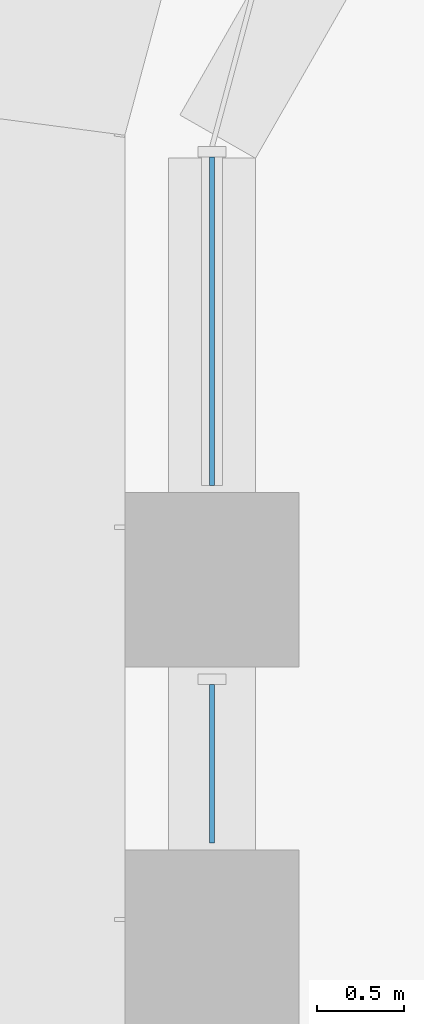
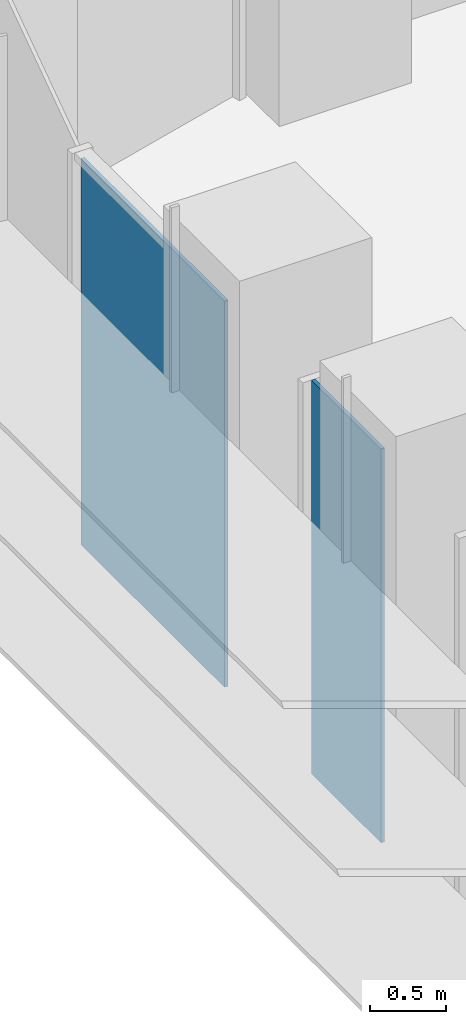
# One storey, part 14 of 23: 2 plates, 1 element without a shape of its own.
"""IFC4 building model written with IfcOpenShell, lengths in metres."""

from ifc_helpers import new_model, si_unit, direction, frame, origin, place, context, subcontext, project, spatial, polyline, outline, extrude, source, transform, mapped, material, layer, layer_set, type_object, element, aggregate, save


model = new_model("IFC4")

# Units and contexts
model_context = context("Model", 3, precision=1e-05, world=origin(), true_north=direction((0.0, 1.0)))
body_context = subcontext(model_context, "Body", "Model", "MODEL_VIEW")
ifc_project = project(units=[si_unit("LENGTHUNIT", "METRE"), si_unit("AREAUNIT", "SQUARE_METRE"), si_unit("VOLUMEUNIT", "CUBIC_METRE"), si_unit("PLANEANGLEUNIT", "RADIAN"), si_unit("MASSUNIT", "GRAM", prefix="KILO")], contexts=[model_context])

# Site, building, storey
site_placement = place(None, origin())
site = spatial("IfcSite", under=ifc_project, at=site_placement, CompositionType="ELEMENT")
building_placement = place(site_placement, origin())
building = spatial("IfcBuilding", under=site, at=building_placement, Name="Zarbagh Exchange Tower", CompositionType="ELEMENT")
storey_placement = place(building_placement, frame((0.0, 0.0, 69.0)))
storey = spatial("IfcBuildingStorey", under=building, at=storey_placement, Name="L15", CompositionType="ELEMENT", Elevation=69.0)

# Curtain wall, plates
ifc_material_1 = material(Name="Anodised aluminium frame and glazing", Category="aluminium")
curtain_wall_type = type_object("IfcCurtainWallType", Name="CWA Ribbon glazing, lower zones", PredefinedType="NOTDEFINED", material=ifc_material_1)
curtain_wall_placement = place(storey_placement, origin())
curtain_wall = element("IfcCurtainWall", 1, at=curtain_wall_placement, inside=storey, type_object=curtain_wall_type, Name="CWA28 curtain wall", PredefinedType="NOTDEFINED")
ifc_material_2 = material(Name="Low-e double glazed unit, 6+12+6 mm")
ifc_layer = layer(ifc_material_2, 0.028076171875)
ifc_layer_set = layer_set([ifc_layer], Name="PAA Glazing panel, Low-e double glazed unit, 6+12+6 mm")
plate_type = type_object("IfcPlateType", Name="PAA Glazing panel, Low-e double glazed unit, 6+12+6 mm", PredefinedType="CURTAIN_PANEL", material=ifc_layer_set)
shared_shape_1 = source(origin(), body_context, "Body", "SweptSolid", [
    extrude(outline(polyline([(0.0, -0.013916015625), (0.909912109375, -0.013916015625), (0.909912109375, 0.013916015625), (0.0, 0.013916015625), (0.0, -0.013916015625)])), origin(), (0.0, 0.0, 1.0), 3.14990234375),
])
placement = place(storey_placement, origin())
plate_1 = element("IfcPlate", 2, at=placement, type_object=plate_type, Name="CWA28 glazing panel 2.1", PredefinedType="CURTAIN_PANEL", context=body_context, shape_type="MappedRepresentation", body=[
    mapped(shared_shape_1, transform((-6.25, 26.099853515625, 0.0), x_axis=(0.0, -1.0, 0.0), y_axis=(1.0, 0.0, 0.0), z_axis=(0.0, 0.0, 1.0))),
])
shared_shape_2 = source(origin(), body_context, "Body", "SweptSolid", [
    extrude(outline(polyline([(0.0, -0.013916015625), (1.88427734375, -0.013916015625), (1.88427734375, 0.013916015625), (0.0, 0.013916015625), (0.0, -0.013916015625)])), origin(), (0.0, 0.0, 1.0), 3.090087890625),
])
plate_2 = element("IfcPlate", 3, at=placement, type_object=plate_type, Name="CWA28 glazing panel 1.1", PredefinedType="CURTAIN_PANEL", context=body_context, shape_type="MappedRepresentation", body=[
    mapped(shared_shape_2, transform((-6.25, 29.124267578125, 0.0), x_axis=(0.0, -1.0, 0.0), y_axis=(1.0, 0.0, 0.0), z_axis=(0.0, 0.0, 1.0))),
])
aggregate(curtain_wall, [plate_2, plate_1])

save(model, "model.ifc")
